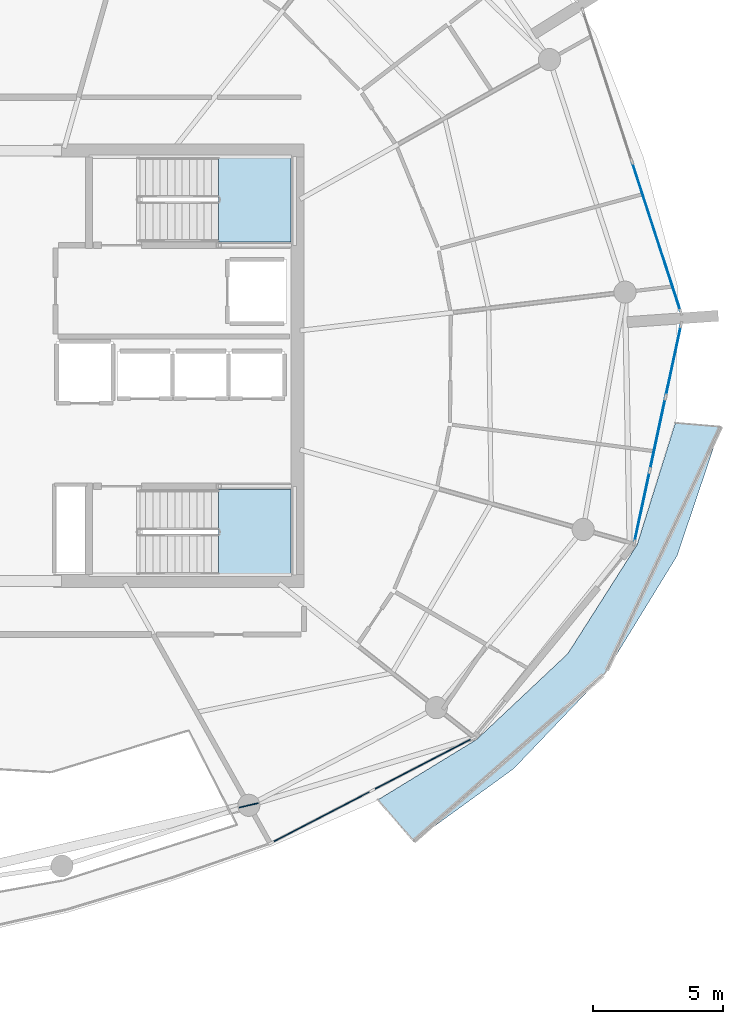
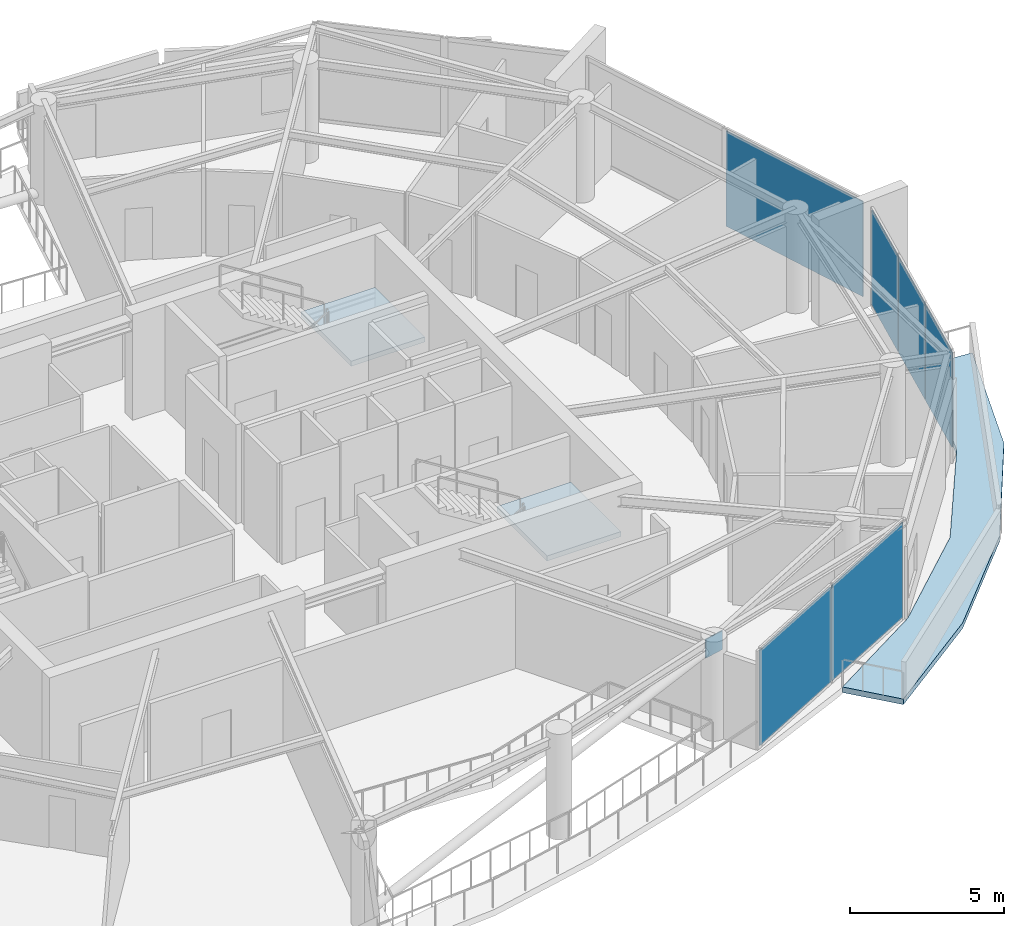
# One storey, part 11 of 22: 7 plates, 3 slabs, 5 elements without a shape of their own.
"""IFC4 building model written with IfcOpenShell, lengths in metres."""

from ifc_helpers import new_model, si_unit, direction, frame, origin, origin_2d, place, context, subcontext, project, spatial, polyline, rectangle, outline, extrude, material, layer, layer_set, type_object, element, aggregate, save


model = new_model("IFC4")

# Units and contexts
model_context = context("Model", 3, precision=1e-05, world=origin(), true_north=direction((0.0, 1.0)))
body_context = subcontext(model_context, "Body", "Model", "MODEL_VIEW")
ifc_project = project(units=[si_unit("LENGTHUNIT", "METRE"), si_unit("AREAUNIT", "SQUARE_METRE"), si_unit("VOLUMEUNIT", "CUBIC_METRE"), si_unit("PLANEANGLEUNIT", "RADIAN"), si_unit("MASSUNIT", "GRAM", prefix="KILO")], contexts=[model_context])

# Site, building, storey
site_placement = place(None, origin())
site = spatial("IfcSite", under=ifc_project, at=site_placement, CompositionType="ELEMENT")
building_placement = place(site_placement, origin())
building = spatial("IfcBuilding", under=site, at=building_placement, Name="Kazma Halo Residences", CompositionType="ELEMENT")
storey_placement = place(building_placement, frame((0.0, 0.0, 326.300048828125)))
storey = spatial("IfcBuildingStorey", under=building, at=storey_placement, Name="L82", CompositionType="ELEMENT", Elevation=326.300048828125)

# Curtain wall, plates
ifc_material_1 = material(Name="Aluminium AW-6063 T6 and Triple-Silver Low-E Glass", Category="aluminium")
ifc_layer_1 = layer(ifc_material_1, 0.239990234375)
ifc_layer_set_1 = layer_set([ifc_layer_1], Name="Aluminium AW-6063 T6 and Triple-Silver Low-E Glass")
curtain_wall_type = type_object("IfcCurtainWallType", Name="CW-SYS-6", PredefinedType="NOTDEFINED", material=ifc_layer_set_1)
curtain_wall_1_placement = place(storey_placement, origin())
curtain_wall_1 = element("IfcCurtainWall", 1, at=curtain_wall_1_placement, inside=storey, type_object=curtain_wall_type, Name="L82 unitised curtain wall B13", PredefinedType="NOTDEFINED")
ifc_material_2 = material(Name="Clear Triple-Silver Low-E Glass IGU", Category="glass")
ifc_layer_2 = layer(ifc_material_2, 0.035888671875)
ifc_layer_set_2 = layer_set([ifc_layer_2], Name="Clear Triple-Silver Low-E Glass IGU")
plate_type_1 = type_object("IfcPlateType", Name="CW-SYS-6-PNL", PredefinedType="CURTAIN_PANEL", material=ifc_layer_set_2)
plate_1_placement = place(storey_placement, frame((60.22802734375, 24.713134765625, 0.080078125), z_axis=(0.0, 0.0, 1.0), x_axis=(0.887506071618, 0.460796020861, 0.0)))
plate_1 = element("IfcPlate", 2, at=plate_1_placement, type_object=plate_type_1, Name="CWS-6 panel 1.1", PredefinedType="CURTAIN_PANEL", context=body_context, shape_type="SweptSolid", body=[
    extrude(rectangle(XDim=4.28662109375, YDim=0.035888671875, at=origin_2d()), origin(), (0.0, 0.0, 1.0), 3.780029296875),
])
plate_2_placement = place(storey_placement, frame((64.103271484375, 26.725341796875, 0.080078125), z_axis=(0.0, 0.0, 1.0), x_axis=(0.887506071618, 0.460796020861, 0.0)))
plate_2 = element("IfcPlate", 3, at=plate_2_placement, type_object=plate_type_1, Name="CWS-6 panel 2.1", PredefinedType="CURTAIN_PANEL", context=body_context, shape_type="SweptSolid", body=[
    extrude(rectangle(XDim=4.28662109375, YDim=0.035888671875, at=origin_2d()), origin(), (0.0, 0.0, 1.0), 3.780029296875),
])
aggregate(curtain_wall_1, [plate_1, plate_2])

curtain_wall_2_placement = place(storey_placement, origin())
curtain_wall_2 = element("IfcCurtainWall", 4, at=curtain_wall_2_placement, inside=storey, type_object=curtain_wall_type, Name="L82 unitised curtain wall B15", PredefinedType="NOTDEFINED")
plate_3_placement = place(storey_placement, frame((72.513427734375, 36.59912109375, 0.080078125), z_axis=(0.0, 0.0, 1.0), x_axis=(0.209722888986, 0.977760865363, 0.0)))
plate_3 = element("IfcPlate", 5, at=plate_3_placement, type_object=plate_type_1, Name="CWS-6 panel 1.1", PredefinedType="CURTAIN_PANEL", context=body_context, shape_type="SweptSolid", body=[
    extrude(rectangle(XDim=2.7578125, YDim=0.035888671875, at=origin_2d()), origin(), (0.0, 0.0, 1.0), 3.780029296875),
])
plate_4_placement = place(storey_placement, frame((73.11279296875, 39.3935546875, 0.080078125), z_axis=(0.0, 0.0, 1.0), x_axis=(0.209722888986, 0.977760865363, 0.0)))
plate_4 = element("IfcPlate", 6, at=plate_4_placement, type_object=plate_type_1, Name="CWS-6 panel 2.1", PredefinedType="CURTAIN_PANEL", context=body_context, shape_type="SweptSolid", body=[
    extrude(rectangle(XDim=2.7978515625, YDim=0.035888671875, at=origin_2d()), origin(), (0.0, 0.0, 1.0), 3.780029296875),
])
plate_5_placement = place(storey_placement, frame((73.712158203125, 42.187744140625, 0.080078125), z_axis=(0.0, 0.0, 1.0), x_axis=(0.209722888986, 0.977760865363, 0.0)))
plate_5 = element("IfcPlate", 7, at=plate_5_placement, type_object=plate_type_1, Name="CWS-6 panel 3.1", PredefinedType="CURTAIN_PANEL", context=body_context, shape_type="SweptSolid", body=[
    extrude(rectangle(XDim=2.7578125, YDim=0.035888671875, at=origin_2d()), origin(), (0.0, 0.0, 1.0), 3.780029296875),
])
aggregate(curtain_wall_2, [plate_3, plate_4, plate_5])

# Curtain wall, plate
curtain_wall_3_placement = place(storey_placement, origin())
curtain_wall_3 = element("IfcCurtainWall", 8, at=curtain_wall_3_placement, inside=storey, type_object=curtain_wall_type, Name="L82 unitised curtain wall B16", PredefinedType="NOTDEFINED")
plate_6_placement = place(storey_placement, frame((73.060791015625, 46.9501953125, 0.080078125), z_axis=(0.0, 0.0, 1.0), x_axis=(-0.309018932797, 0.951055886462, 0.0)))
plate_6 = element("IfcPlate", 9, at=plate_6_placement, type_object=plate_type_1, Name="CWS-6 panel 1.1", PredefinedType="CURTAIN_PANEL", context=body_context, shape_type="SweptSolid", body=[
    extrude(rectangle(XDim=5.99267578125, YDim=0.035888671875, at=origin_2d()), origin(), (0.0, 0.0, 1.0), 3.780029296875),
])
aggregate(curtain_wall_3, [plate_6])

# Plate
ifc_material_3 = material(Name="Steel S355", Category="steel")
ifc_layer_3 = layer(ifc_material_3, 0.0400390625)
ifc_layer_set_3 = layer_set([ifc_layer_3], Name="Steel S355")
plate_type_2 = type_object("IfcPlateType", Name="PLT-GUSSET-40", PredefinedType="SHEET", material=ifc_layer_set_3)
plate_7_placement = place(storey_placement, frame((57.436767578125, 25.1494140625, 3.18505859375), z_axis=(0.0, 0.0, 1.0), x_axis=(0.974083647521, 0.226188080216, 0.0)))
element("IfcPlate", 10, at=plate_7_placement, inside=storey, type_object=plate_type_2, Name="L82 wind-portal upper gusset SSE", PredefinedType="SHEET", context=body_context, shape_type="SweptSolid", body=[
    extrude(rectangle(XDim=0.75, YDim=0.0400390625, at=origin_2d()), origin(), (0.0, 0.0, 1.0), 0.75),
])

# Slab
ifc_material_4 = material(Name="White Concrete C50/60", Category="concrete")
ifc_layer_4 = layer(ifc_material_4, 0.219970703125)
ifc_layer_set_4 = layer_set([ifc_layer_4], Name="White Concrete C50/60")
slab_type_1 = type_object("IfcSlabType", Name="SLB-BAL-WAVE-210", PredefinedType="FLOOR", material=ifc_layer_set_4)
slab_1_placement = place(storey_placement, frame((0.0, 0.0, -0.219970703125)))
element("IfcSlab", 11, at=slab_1_placement, inside=storey, type_object=slab_type_1, Name="L82 SE cantilevered wave balcony slab", PredefinedType="FLOOR", context=body_context, shape_type="SweptSolid", body=[
    extrude(outline(polyline([(62.38818359375, 25.360595703125), (66.17236328125, 27.674072265625), (69.664794921875, 30.961181640625), (72.324951171875, 35.1396484375), (73.7900390625, 39.811767578125), (75.52685546875, 39.664306640625), (73.853271484375, 34.70849609375), (71.106201171875, 30.226806640625), (67.593017578125, 26.55419921875), (63.760986328125, 23.77294921875), (62.38818359375, 25.360595703125)])), origin(), (0.0, 0.0, 1.0), 0.219970703125),
])

# Stair, slab
ifc_material_5 = material(Name="Concrete C50/60", Category="concrete")
stair_type = type_object("IfcStairType", Name="STR-RES2", PredefinedType="HALF_TURN_STAIR", material=ifc_material_5)
stair_1_placement = place(storey_placement, origin())
stair_1 = element("IfcStair", 12, at=stair_1_placement, inside=storey, type_object=stair_type, Name="L82 Core exit stair ST-02", PredefinedType="HALF_TURN_STAIR")
ifc_layer_5 = layer(ifc_material_5, 0.199951171875)
ifc_layer_set_5 = layer_set([ifc_layer_5], Name="Concrete C50/60")
slab_type_2 = type_object("IfcSlabType", Name="SLB-STAIR-LND-200", PredefinedType="LANDING", material=ifc_layer_set_5)
slab_2_placement = place(storey_placement, frame((0.0, 0.0, 1.89990234375)))
slab_2 = element("IfcSlab", 13, at=slab_2_placement, type_object=slab_type_2, Name="ST-02 landing 1", PredefinedType="LANDING", context=body_context, shape_type="SweptSolid", body=[
    extrude(outline(polyline([(56.280029296875, 46.75), (59.050048828125, 46.75), (59.050048828125, 50.0), (56.280029296875, 50.0), (56.280029296875, 46.75)])), origin(), (0.0, 0.0, 1.0), 0.199951171875),
])
aggregate(stair_1, [slab_2])

stair_2_placement = place(storey_placement, origin())
stair_2 = element("IfcStair", 14, at=stair_2_placement, inside=storey, type_object=stair_type, Name="L82 Core exit stair ST-03", PredefinedType="HALF_TURN_STAIR")
slab_3_placement = place(storey_placement, frame((0.0, 0.0, 1.89990234375)))
slab_3 = element("IfcSlab", 15, at=slab_3_placement, type_object=slab_type_2, Name="ST-03 landing 1", PredefinedType="LANDING", context=body_context, shape_type="SweptSolid", body=[
    extrude(outline(polyline([(56.280029296875, 34.0), (59.050048828125, 34.0), (59.050048828125, 37.25), (56.280029296875, 37.25), (56.280029296875, 34.0)])), origin(), (0.0, 0.0, 1.0), 0.199951171875),
])
aggregate(stair_2, [slab_3])

save(model, "model.ifc")
